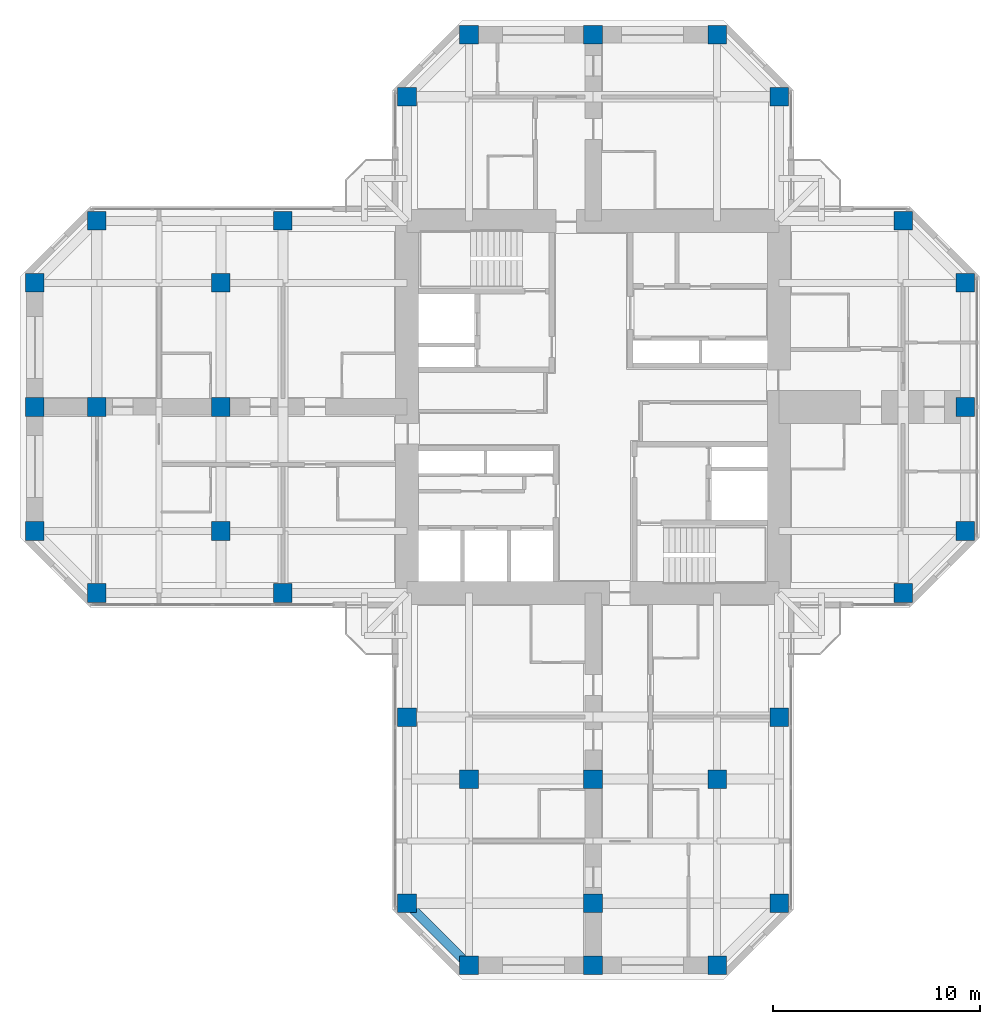
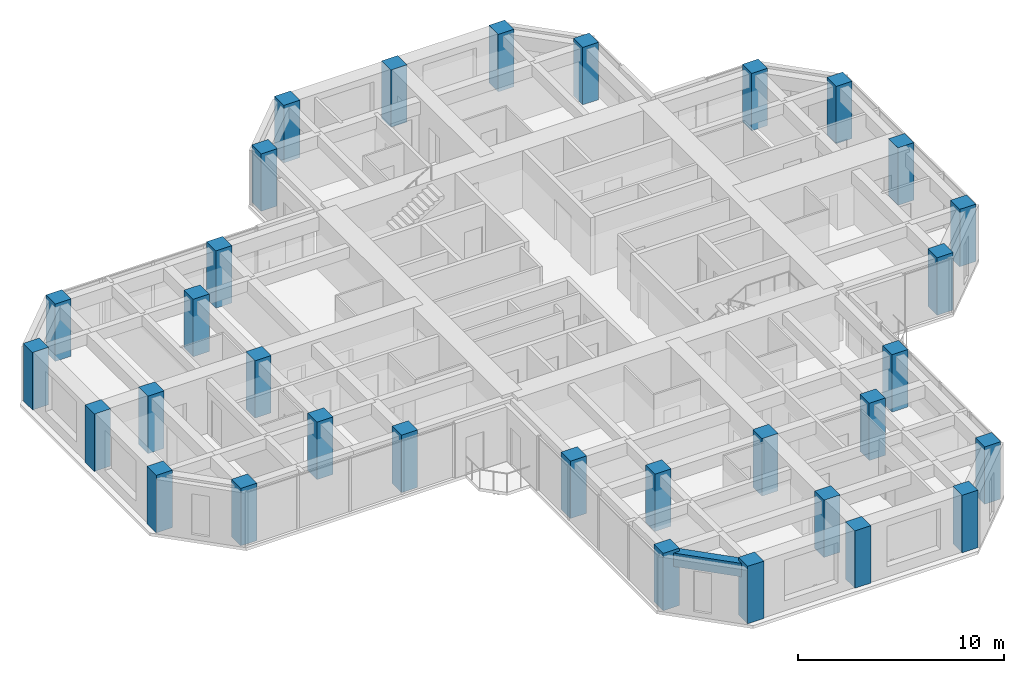
# One storey, part 1 of 14: 32 columns, 1 beam.
"""IFC4 building model written with IfcOpenShell, lengths in metres."""

from ifc_helpers import new_model, si_unit, direction, frame, origin, origin_2d, place, context, subcontext, project, spatial, rectangle, extrude, material, material_profile, profile_set, type_object, element, save


model = new_model("IFC4")

# Units and contexts
model_context = context("Model", 3, precision=1e-05, world=origin(), true_north=direction((0.0, 1.0)))
body_context = subcontext(model_context, "Body", "Model", "MODEL_VIEW")
ifc_project = project(units=[si_unit("LENGTHUNIT", "METRE"), si_unit("AREAUNIT", "SQUARE_METRE"), si_unit("VOLUMEUNIT", "CUBIC_METRE"), si_unit("PLANEANGLEUNIT", "RADIAN"), si_unit("MASSUNIT", "GRAM", prefix="KILO")], contexts=[model_context])

# Site, building, storey
site_placement = place(None, origin())
site = spatial("IfcSite", under=ifc_project, at=site_placement, CompositionType="ELEMENT")
building_placement = place(site_placement, origin())
building = spatial("IfcBuilding", under=site, at=building_placement, Name="Torre Cruceta", CompositionType="ELEMENT")
storey_placement = place(building_placement, frame((0.0, 0.0, 176.300048828125)))
storey = spatial("IfcBuildingStorey", under=building, at=storey_placement, Name="L43", CompositionType="ELEMENT", Elevation=176.300048828125)

# Columns
ifc_material_1 = material(Name="Concrete G60 (fck 60 MPa)", Category="concrete")
ifc_material_profile_1 = material_profile(ifc_material_1, rectangle(XDim=0.89990234375, YDim=0.89990234375, at=origin_2d()), Name="RC 900X900")
ifc_profile_set_1 = profile_set([ifc_material_profile_1], Name="Concrete G60 (fck 60 MPa)")
column_type = type_object("IfcColumnType", Name="COLUMN RC 900X900", PredefinedType="COLUMN", material=ifc_profile_set_1)
for number, where, z_axis, x_axis, name in (
    (1, (9.0, 15.0, 0.0), (0.0, 0.0, 1.0), (1.0, 0.0, 0.0), "C6 L43 N chamfer"),
    (2, (-9.0, 15.0, 0.0), (0.0, 0.0, 1.0), (1.0, 0.0, 0.0), "C6 L43 N chamfer"),
    (3, (6.0, 18.0, 0.0), (0.0, 0.0, 1.0), (1.0, 0.0, 0.0), "C6 L43 N tip"),
    (4, (0.0, 18.0, 0.0), (0.0, 0.0, 1.0), (1.0, 0.0, 0.0), "C6 L43 N tip"),
    (5, (-6.0, 18.0, 0.0), (0.0, 0.0, 1.0), (1.0, 0.0, 0.0), "C6 L43 N tip"),
    (6, (15.0, -9.0, 0.0), (0.0, 0.0, 1.0), (1.0, 0.0, 0.0), "C6 L43 E chamfer"),
    (7, (15.0, 9.0, 0.0), (0.0, 0.0, 1.0), (1.0, 0.0, 0.0), "C6 L43 E chamfer"),
    (8, (18.0, -6.0, 0.0), (0.0, 0.0, 1.0), (1.0, 0.0, 0.0), "C6 L43 E tip"),
    (9, (18.0, 0.0, 0.0), (0.0, 0.0, 1.0), (1.0, 0.0, 0.0), "C6 L43 E tip"),
    (10, (18.0, 6.0, 0.0), (0.0, 0.0, 1.0), (1.0, 0.0, 0.0), "C6 L43 E tip"),
    (11, (-9.0, -15.0, 0.0), (0.0, 0.0, 1.0), (1.0, 0.0, 0.0), "C6 L43 S side"),
    (12, (-9.0, -24.0, 0.0), (0.0, 0.0, 1.0), (1.0, 0.0, 0.0), "C6 L43 S chamfer"),
    (13, (9.0, -15.0, 0.0), (0.0, 0.0, 1.0), (1.0, 0.0, 0.0), "C6 L43 S side"),
    (14, (9.0, -24.0, 0.0), (0.0, 0.0, 1.0), (1.0, 0.0, 0.0), "C6 L43 S chamfer"),
    (15, (-6.0, -27.0, 0.0), (0.0, 0.0, 1.0), (1.0, 0.0, 0.0), "C6 L43 S tip"),
    (16, (0.0, -27.0, 0.0), (0.0, 0.0, 1.0), (1.0, 0.0, 0.0), "C6 L43 S tip"),
    (17, (6.0, -27.0, 0.0), (0.0, 0.0, 1.0), (1.0, 0.0, 0.0), "C6 L43 S tip"),
    (18, (-15.0, 9.0, 0.0), (0.0, 0.0, 1.0), (1.0, 0.0, 0.0), "C6 L43 W side"),
    (19, (-24.0, 9.0, 0.0), (0.0, 0.0, 1.0), (1.0, 0.0, 0.0), "C6 L43 W chamfer"),
    (20, (-15.0, -9.0, 0.0), (0.0, 0.0, 1.0), (1.0, 0.0, 0.0), "C6 L43 W side"),
    (21, (-24.0, -9.0, 0.0), (0.0, 0.0, 1.0), (1.0, 0.0, 0.0), "C6 L43 W chamfer"),
    (22, (-27.0, 6.0, 0.0), (0.0, 0.0, 1.0), (1.0, 0.0, 0.0), "C6 L43 W tip"),
    (23, (-27.0, 0.0, 0.0), (0.0, 0.0, 1.0), (1.0, 0.0, 0.0), "C6 L43 W tip"),
    (24, (-27.0, -6.0, 0.0), (0.0, 0.0, 1.0), (1.0, 0.0, 0.0), "C6 L43 W tip"),
    (25, (-6.0, -18.0, 0.0), (0.0, 0.0, 1.0), (1.0, 0.0, 0.0), "C6 L43 S interior"),
    (26, (0.0, -18.0, 0.0), (0.0, 0.0, 1.0), (1.0, 0.0, 0.0), "C6 L43 S interior"),
    (27, (6.0, -18.0, 0.0), (0.0, 0.0, 1.0), (1.0, 0.0, 0.0), "C6 L43 S interior"),
    (28, (0.0, -24.0, 0.0), (0.0, 0.0, 1.0), (1.0, 0.0, 0.0), "C6 L43 S interior"),
    (29, (-18.0, 6.0, 0.0), (0.0, 0.0, 1.0), (1.0, 0.0, 0.0), "C6 L43 W interior"),
    (30, (-18.0, 0.0, 0.0), (0.0, 0.0, 1.0), (1.0, 0.0, 0.0), "C6 L43 W interior"),
    (31, (-18.0, -6.0, 0.0), (0.0, 0.0, 1.0), (1.0, 0.0, 0.0), "C6 L43 W interior"),
    (32, (-24.0, 0.0, 0.0), (0.0, 0.0, 1.0), (1.0, 0.0, 0.0), "C6 L43 W interior"),
):
    element("IfcColumn", number, at=place(storey_placement, frame(where, z_axis=z_axis, x_axis=x_axis)), inside=storey, type_object=column_type, Name=name, PredefinedType="COLUMN", context=body_context, shape_type="SweptSolid", body=[
        extrude(rectangle(XDim=0.89990234375, YDim=0.89990234375, at=origin_2d()), origin(), (0.0, 0.0, 1.0), 3.39990234375),
    ])

# Beam
ifc_material_2 = material(Name="Concrete G60 (fck 60 MPa)", Category="concrete")
ifc_material_profile_2 = material_profile(ifc_material_2, rectangle(XDim=0.449951171875, YDim=0.800048828125, at=origin_2d()), Name="RC 450X800")
ifc_profile_set_2 = profile_set([ifc_material_profile_2], Name="Concrete G60 (fck 60 MPa)")
beam_type = type_object("IfcBeamType", Name="SPANDREL BEAM RC 450X800", PredefinedType="SPANDREL", material=ifc_profile_set_2)
beam_placement = place(storey_placement, frame((-9.0, -24.0, 2.820068359375), z_axis=(0.707106781187, -0.707106781187, 0.0), x_axis=(0.707106781187, 0.707106781187, 0.0)))
element("IfcBeam", 33, at=beam_placement, inside=storey, type_object=beam_type, Name="SB6 L43 S side- 5", PredefinedType="SPANDREL", context=body_context, shape_type="SweptSolid", body=[
    extrude(rectangle(XDim=0.449951171875, YDim=0.800048828125, at=origin_2d()), origin(), (0.0, 0.0, 1.0), 4.24267578125),
])

save(model, "model.ifc")
